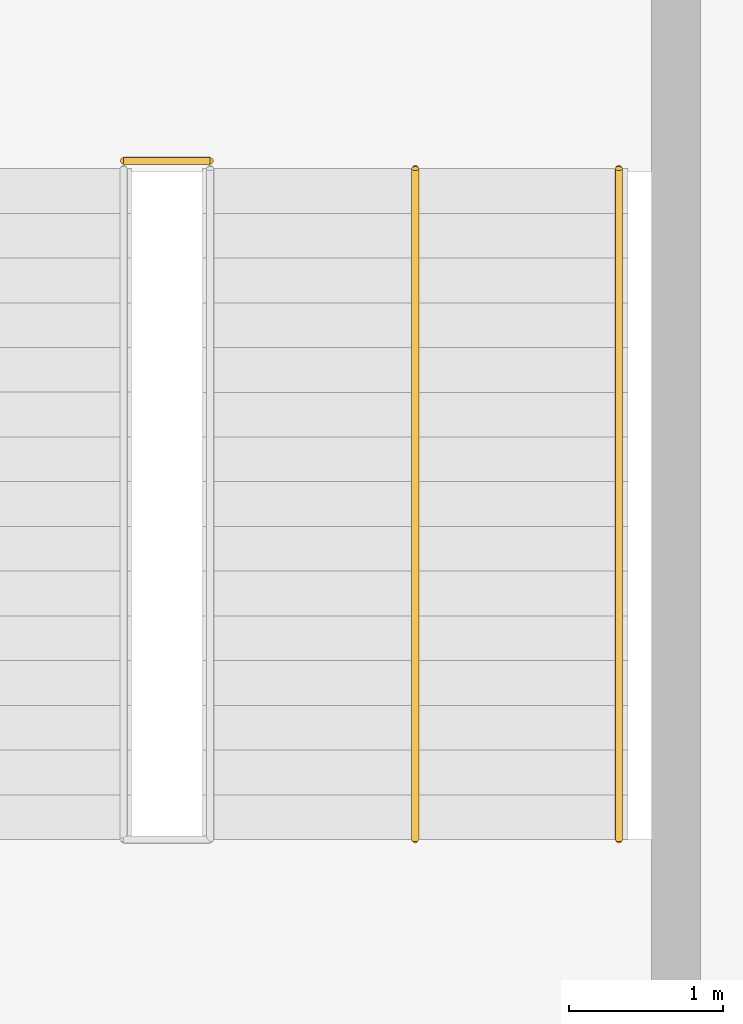
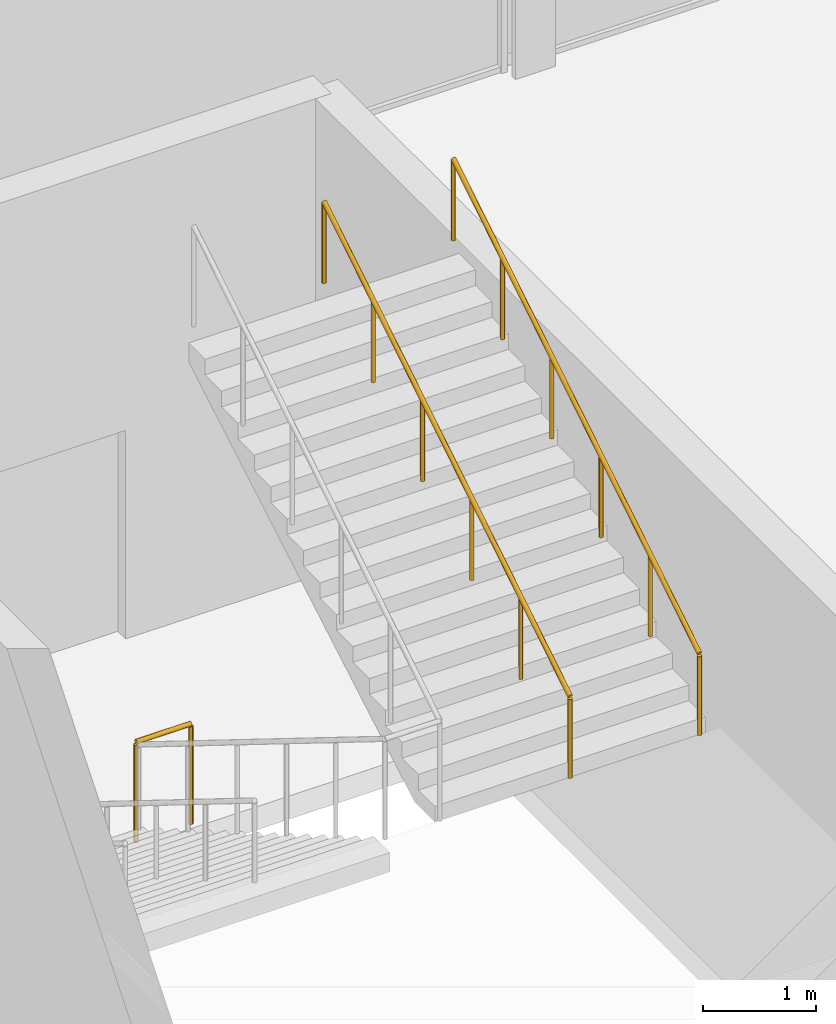
# One storey, part 96 of 113: 3 railings.
"""IFC4 building model written with IfcOpenShell, lengths in metres."""

import ifcopenshell
import ifcopenshell.guid

model = None  # the IFC model being written
_history = None  # IfcOwnerHistory: only IFC2X3 demands one
_inside = {}  # id of a spatial element -> (the spatial element, [elements in it])
_under = {}  # id of a project, library or spatial element -> (it, [spatial elements below it])
_declared = {}  # id of a project -> (the project, [libraries it declares])
_typed = {}  # id of a type object -> (the type object, [elements of that type])
_made_of = {}  # id of a material, layer set ... -> (it, [elements and type objects made of it])


def new_model(schema):
    """Start an empty IFC model of exactly this schema.

    Asked for "IFC4X3", IfcOpenShell would pick the latest addendum, in which some entities
    have other attributes; the version numbers below select the first issue.
    IFC2X3 requires an IfcOwnerHistory on every rooted entity: one is made here for all.
    """
    global model, _history
    if schema == "IFC4X3":
        model = ifcopenshell.file(schema_version=(4, 3, 0, 0))
    else:
        model = ifcopenshell.file(schema=schema)
    _inside.clear()
    _under.clear()
    _declared.clear()
    _typed.clear()
    _made_of.clear()
    _history = None
    if model.schema == "IFC2X3":
        org = make("IfcOrganization", Name="unknown")
        user = make(
            "IfcPersonAndOrganization",
            ThePerson=make("IfcPerson", FamilyName="unknown"),
            TheOrganization=org,
        )
        app = make(
            "IfcApplication",
            ApplicationDeveloper=org,
            Version="unknown",
            ApplicationFullName="unknown",
            ApplicationIdentifier="unknown",
        )
        _history = make(
            "IfcOwnerHistory",
            OwningUser=user,
            OwningApplication=app,
            ChangeAction="ADDED",
            CreationDate=0,
        )
    return model


def make(cls, **values):
    """One entity of the class cls with the attributes given. An attribute that is None is left unset."""
    return model.create_entity(
        cls, **{name: value for name, value in values.items() if value is not None}
    )


def rooted(cls, **values):
    """An entity with a GlobalId (a new one), such as an element, a storey or a relation."""
    return make(cls, GlobalId=ifcopenshell.guid.new(), OwnerHistory=_history, **values)


def si_unit(unit_type, name, prefix=None):
    """IfcSIUnit, for example si_unit("LENGTHUNIT", "METRE", prefix="MILLI")."""
    return make("IfcSIUnit", UnitType=unit_type, Prefix=prefix, Name=name)


def assignment(units):
    """IfcUnitAssignment: the units of a project."""
    return None if units is None else make("IfcUnitAssignment", Units=units)


def point(xyz):
    """IfcCartesianPoint."""
    return None if xyz is None else make("IfcCartesianPoint", Coordinates=xyz)


def direction(xyz):
    """IfcDirection."""
    return None if xyz is None else make("IfcDirection", DirectionRatios=xyz)


def frame(location, z_axis=None, x_axis=None):
    """IfcAxis2Placement3D, a coordinate frame: its origin and axes. An axis left out is left unset."""
    return make(
        "IfcAxis2Placement3D",
        Location=point(location),
        Axis=direction(z_axis),
        RefDirection=direction(x_axis),
    )


def frame_2d(location, x_axis=None):
    """IfcAxis2Placement2D, a coordinate frame in the plane: its origin and x axis."""
    return make(
        "IfcAxis2Placement2D", Location=point(location), RefDirection=direction(x_axis)
    )


def origin():
    """The frame at (0, 0, 0) with its axes left unset."""
    return frame((0.0, 0.0, 0.0))


def origin_2d():
    """The frame at (0, 0) in the plane with its x axis left unset."""
    return frame_2d((0.0, 0.0))


def place(relative_to, where):
    """IfcLocalPlacement: puts the frame where relative to a parent placement (None: the world)."""
    return make(
        "IfcLocalPlacement", PlacementRelTo=relative_to, RelativePlacement=where
    )


def context(
    kind, dimensions, precision=None, world=None, true_north=None, identifier=None
):
    """IfcGeometricRepresentationContext, for example the 3D "Model" context."""
    return make(
        "IfcGeometricRepresentationContext",
        ContextIdentifier=identifier,
        ContextType=kind,
        CoordinateSpaceDimension=dimensions,
        Precision=precision,
        WorldCoordinateSystem=world,
        TrueNorth=true_north,
    )


def subcontext(parent, identifier, kind, view, scale=None):
    """IfcGeometricRepresentationSubContext, for example "Body" below "Model"."""
    return make(
        "IfcGeometricRepresentationSubContext",
        ContextIdentifier=identifier,
        ContextType=kind,
        ParentContext=parent,
        TargetScale=scale,
        TargetView=view,
    )


def project(units=None, contexts=None):
    """IfcProject with its units and contexts."""
    return rooted(
        "IfcProject",
        Name="project",
        RepresentationContexts=contexts,
        UnitsInContext=assignment(units),
    )


def spatial(cls, under=None, at=None, **own):
    """A site, building, storey or space (cls), placed at a placement, below another one or the project."""
    s = rooted(cls, ObjectPlacement=at, **own)
    if under is not None:
        _under.setdefault(under.id(), (under, []))[1].append(s)
    return s


def profile(cls, at=None, kind="AREA", **sizes):
    """A parametric profile (cls). Its sizes go by their IFC names, for example OverallWidth=200.0."""
    return make(cls, ProfileType=kind, Position=at, **sizes)


def circle(**sizes):
    """IfcCircleProfileDef."""
    return profile("IfcCircleProfileDef", **sizes)


def extrude(swept, where, along, depth):
    """IfcExtrudedAreaSolid: the profile swept, set in the frame where, extruded along a direction by depth."""
    return make(
        "IfcExtrudedAreaSolid",
        SweptArea=swept,
        Position=where,
        ExtrudedDirection=direction(along),
        Depth=depth,
    )


def shape(context_of_items, identifier, shape_type, items):
    """IfcShapeRepresentation: the items that make up one representation, for example the "Body"."""
    return make(
        "IfcShapeRepresentation",
        ContextOfItems=context_of_items,
        RepresentationIdentifier=identifier,
        RepresentationType=shape_type,
        Items=items,
    )


def material(Name=None, Category=None):
    """IfcMaterial."""
    return make("IfcMaterial", Name=Name, Category=Category)


def made_of(thing, what):
    """Note that an element or type object is made of a material, layer set ...; save() writes the relation."""
    if what is not None:
        _made_of.setdefault(what.id(), (what, []))[1].append(thing)
    return thing


def type_object(cls, material=None, **own):
    """A type object (cls), such as IfcWallType, which elements share."""
    return made_of(rooted(cls, **own), material)


def element(
    cls,
    number,
    at=None,
    inside=None,
    cuts=None,
    type_object=None,
    material=None,
    context=None,
    identifier="Body",
    shape_type=None,
    held_by="IfcProductDefinitionShape",
    body=None,
    shapes=None,
    **own,
):
    """One element of the class cls, such as IfcWall. Its Tag is "e" and its number.

    at: its placement. inside: the storey or other place that contains it. cuts: it is an
    opening in that element (IfcRelVoidsElement). A single representation is given by context,
    identifier, shape_type and body (its items); several are given by shapes. held_by: the class
    of the entity that holds the representations. save() writes the other relations.
    """
    e = rooted(cls, Tag="e%d" % number, ObjectPlacement=at, **own)
    if body is not None:
        shapes = [shape(context, identifier, shape_type, body)]
    if shapes is not None:
        e.Representation = make(held_by, Representations=shapes)
    if inside is not None:
        _inside.setdefault(inside.id(), (inside, []))[1].append(e)
    if cuts is not None:
        rooted(
            "IfcRelVoidsElement", RelatingBuildingElement=cuts, RelatedOpeningElement=e
        )
    if type_object is not None:
        _typed.setdefault(type_object.id(), (type_object, []))[1].append(e)
    return made_of(e, material)


def aggregate(whole, parts):
    """IfcRelAggregates: a whole, such as a stair, and the parts it consists of."""
    return rooted("IfcRelAggregates", RelatingObject=whole, RelatedObjects=parts)


def save(model, path):
    """Write the relations noted so far, then the file.

    IfcRelAggregates (storeys below a building ...), IfcRelContainedInSpatialStructure (elements
    in a storey), IfcRelDefinesByType, IfcRelAssociatesMaterial and IfcRelDeclares: one each for
    every whole, place, type object, material and project.
    """
    for whole, parts in _under.values():
        aggregate(whole, parts)
    for where, things in _inside.values():
        rooted(
            "IfcRelContainedInSpatialStructure",
            RelatedElements=things,
            RelatingStructure=where,
        )
    for kind, things in _typed.values():
        rooted("IfcRelDefinesByType", RelatedObjects=things, RelatingType=kind)
    for what, things in _made_of.values():
        rooted("IfcRelAssociatesMaterial", RelatedObjects=things, RelatingMaterial=what)
    for by, libraries in _declared.values():
        rooted("IfcRelDeclares", RelatingContext=by, RelatedDefinitions=libraries)
    model.write(path)


model = new_model("IFC4")

# Units and contexts
model_context = context("Model", 3, precision=1e-05, world=origin(), true_north=direction((0.0, 1.0)))
body_context = subcontext(model_context, "Body", "Model", "MODEL_VIEW")
ifc_project = project(units=[si_unit("LENGTHUNIT", "METRE"), si_unit("AREAUNIT", "SQUARE_METRE"), si_unit("VOLUMEUNIT", "CUBIC_METRE"), si_unit("PLANEANGLEUNIT", "RADIAN"), si_unit("MASSUNIT", "GRAM", prefix="KILO")], contexts=[model_context])

# Site, building, storey
site_placement = place(None, origin())
site = spatial("IfcSite", under=ifc_project, at=site_placement, CompositionType="ELEMENT")
building_placement = place(site_placement, origin())
building = spatial("IfcBuilding", under=site, at=building_placement, Name="Kisiwana Market Hall", CompositionType="ELEMENT")
storey_placement = place(building_placement, frame((0.0, 0.0, 6.0)))
storey = spatial("IfcBuildingStorey", under=building, at=storey_placement, Name="L01", CompositionType="ELEMENT", Elevation=6.0)

# Railings
ifc_material_1 = material(Name="Steel S275", Category="steel")
railing_type_1 = type_object("IfcRailingType", Name="RL-GUARD-1100", PredefinedType="GUARDRAIL", material=ifc_material_1)
railing_placement = place(storey_placement, frame((54.02001953125, 27.2900390625, 0.0)))
element("IfcRailing", 1, at=railing_placement, inside=storey, type_object=railing_type_1, Name="Stair ST-S3-L01 landing edge guardrail (RL-432)", PredefinedType="GUARDRAIL", context=body_context, shape_type="SweptSolid", body=[
    extrude(circle(Radius=0.02392578125, at=origin_2d()), frame((0.0, 0.0, 1.076171875), z_axis=(1.0, 0.0, 0.0), x_axis=(0.0, 1.0, 0.0)), (0.0, 0.0, 1.0), 0.56005859375),
    extrude(circle(Radius=0.02099609375, at=origin_2d()), origin(), (0.0, 0.0, 1.0), 1.052001953125),
    extrude(circle(Radius=0.02099609375, at=origin_2d()), frame((0.56005859375, 0.0, 0.0)), (0.0, 0.0, 1.0), 1.052001953125),
])
ifc_material_2 = material(Name="Steel S275", Category="steel")
railing_type_2 = type_object("IfcRailingType", Name="RL-HAND-900", PredefinedType="HANDRAIL", material=ifc_material_2)
for number, where, name in (
    (2, (57.22998046875, 22.889892578125, 2.699951171875), "Stair ST-S3-L01 flight 2 handrail (RL-429)"),
    (3, (55.909912109375, 22.889892578125, 2.699951171875), "Stair ST-S3-L01 flight 2 intermediate handrail (RL-431)"),
):
    element("IfcRailing", number, at=place(storey_placement, frame(where)), inside=storey, type_object=railing_type_2, Name=name, PredefinedType="HANDRAIL", context=body_context, shape_type="SweptSolid", body=[
        extrude(circle(Radius=0.02392578125, at=origin_2d()), frame((0.0, 0.0, 0.8759765625), z_axis=(0.0, 0.849649743971, 0.527347430608), x_axis=(-1.0, 0.0, 0.0)), (0.0, 0.0, 1.0), 5.119873046875),
        extrude(circle(Radius=0.02099609375, at=origin_2d()), origin(), (0.0, 0.0, 1.0), 0.851806640625),
        extrude(circle(Radius=0.02099609375, at=origin_2d()), frame((0.0, 0.8701171875, 0.5400390625)), (0.0, 0.0, 1.0), 0.851806640625),
        extrude(circle(Radius=0.02099609375, at=origin_2d()), frame((0.0, 1.739990234375, 1.080078125)), (0.0, 0.0, 1.0), 0.851806640625),
        extrude(circle(Radius=0.02099609375, at=origin_2d()), frame((0.0, 2.610107421875, 1.619873046875)), (0.0, 0.0, 1.0), 0.851806640625),
        extrude(circle(Radius=0.02099609375, at=origin_2d()), frame((0.0, 3.47998046875, 2.159912109375)), (0.0, 0.0, 1.0), 0.851806640625),
        extrude(circle(Radius=0.02099609375, at=origin_2d()), frame((0.0, 4.35009765625, 2.699951171875)), (0.0, 0.0, 1.0), 0.851806640625),
    ])

save(model, "model.ifc")
